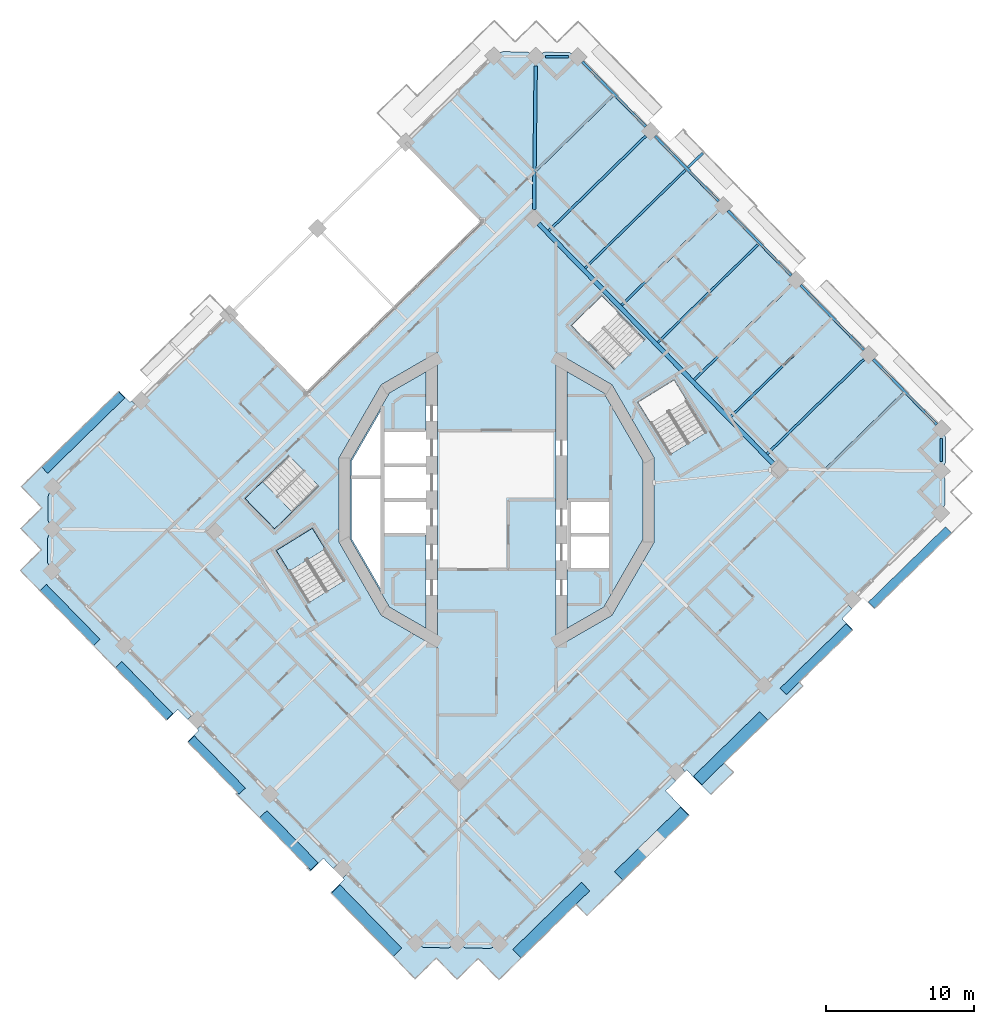
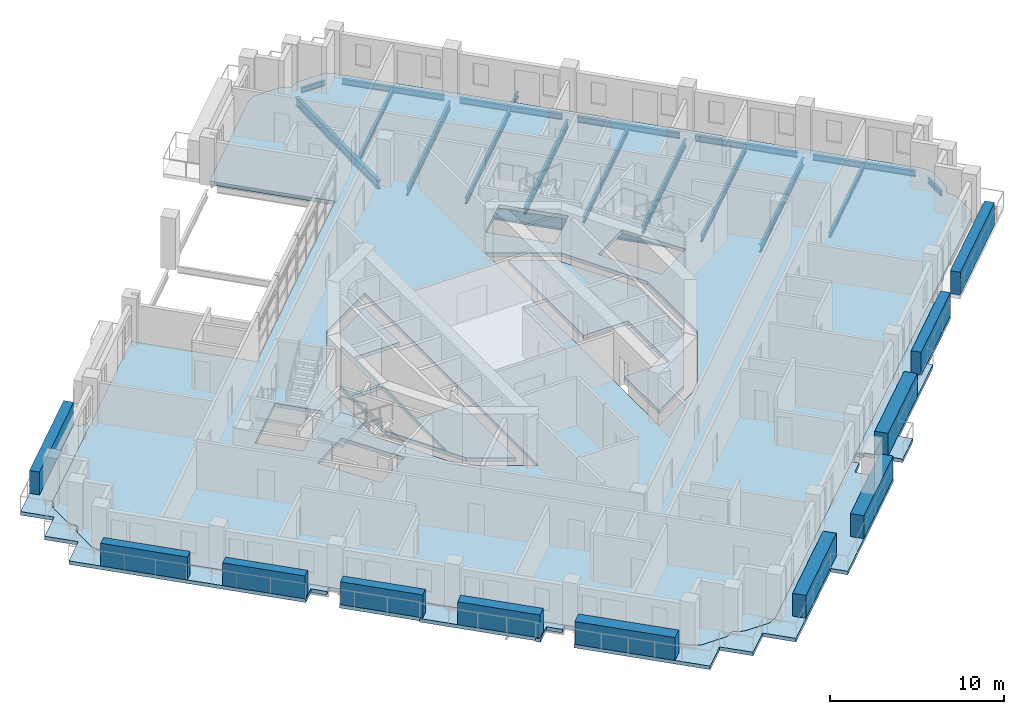
# One storey, part 3 of 19: 19 beams, 11 plates, 9 slabs, 2 elements without a shape of their own.
"""IFC4 building model written with IfcOpenShell, lengths in metres."""

from ifc_helpers import new_model, si_unit, direction, frame, origin, origin_2d, place, context, subcontext, project, spatial, polyline, rectangle, i_section, outline, extrude, material, layer, layer_set, material_profile, profile_set, type_object, element, aggregate, save


model = new_model("IFC4")

# Units and contexts
model_context = context("Model", 3, precision=1e-05, world=origin(), true_north=direction((0.0, 1.0)))
body_context = subcontext(model_context, "Body", "Model", "MODEL_VIEW")
ifc_project = project(units=[si_unit("LENGTHUNIT", "METRE"), si_unit("AREAUNIT", "SQUARE_METRE"), si_unit("VOLUMEUNIT", "CUBIC_METRE"), si_unit("PLANEANGLEUNIT", "RADIAN"), si_unit("MASSUNIT", "GRAM", prefix="KILO")], contexts=[model_context])

# Site, building, storey
site_placement = place(None, origin())
site = spatial("IfcSite", under=ifc_project, at=site_placement, CompositionType="ELEMENT")
building_placement = place(site_placement, origin())
building = spatial("IfcBuilding", under=site, at=building_placement, Name="Cantera Rosa Tower", CompositionType="ELEMENT")
storey_placement = place(building_placement, frame((0.0, 0.0, 223.39990234375)))
storey = spatial("IfcBuildingStorey", under=building, at=storey_placement, Name="L48", CompositionType="ELEMENT", Elevation=223.39990234375)

# Beams
ifc_material_1 = material(Name="Steel ASTM A992 (Fy 345 MPa)", Category="steel")
ifc_material_profile_1 = material_profile(ifc_material_1, i_section(OverallWidth=0.302001953125, OverallDepth=1.010009765625, WebThickness=0.02099609375, FlangeThickness=0.0400390625, FilletRadius=0.030029296875, at=origin_2d()), Name="W1000X350")
ifc_profile_set_1 = profile_set([ifc_material_profile_1], Name="Steel ASTM A992 (Fy 345 MPa)")
beam_type_1 = type_object("IfcBeamType", Name="STEEL BEAM W1000X350", PredefinedType="BEAM", material=ifc_profile_set_1)
beam_1_placement = place(storey_placement, frame((18.69677734375, 2.39892578125, -0.7548828125), z_axis=(-0.698831294804, 0.715286530981, 0.0), x_axis=(-0.715286530981, -0.698831294804, 0.0)))
element("IfcBeam", 1, at=beam_1_placement, inside=storey, type_object=beam_type_1, Name="RB-Z4-05 L48", PredefinedType="BEAM", context=body_context, shape_type="SweptSolid", body=[
    extrude(i_section(OverallWidth=0.302001953125, OverallDepth=1.010009765625, WebThickness=0.02099609375, FlangeThickness=0.0400390625, FilletRadius=0.030029296875, at=origin_2d()), origin(), (0.0, 0.0, 1.0), 22.7001953125),
])
ifc_material_2 = material(Name="Steel ASTM A992 (Fy 345 MPa)", Category="steel")
ifc_material_profile_2 = material_profile(ifc_material_2, i_section(OverallWidth=0.166015625, OverallDepth=0.528076171875, WebThickness=0.009765625, FlangeThickness=0.013671875, FilletRadius=0.0126953125, at=origin_2d()), Name="W530X74")
ifc_profile_set_2 = profile_set([ifc_material_profile_2], Name="Steel ASTM A992 (Fy 345 MPa)")
beam_type_2 = type_object("IfcBeamType", Name="STEEL BEAM W530X74", PredefinedType="BEAM", material=ifc_profile_set_2)
for number, where, z_axis, x_axis, name in (
    (2, (24.77587890625, 9.484619140625, -0.513916015625), (-0.71529025682, -0.698827481213, 0.0), (0.698827481213, -0.71529025682, 0.0), "G-Z4-01 L48"),
    (3, (19.8701171875, 14.505859375, -0.513916015625), (-0.71529025682, -0.698827481213, 0.0), (0.698827481213, -0.71529025682, 0.0), "G-Z4-02 L48"),
    (4, (14.96435546875, 19.527099609375, -0.513916015625), (-0.71529025682, -0.698827481213, 0.0), (0.698827481213, -0.71529025682, 0.0), "G-Z4-03 L48"),
    (5, (10.05859375, 24.548583984375, -0.513916015625), (-0.71529025682, -0.698827481213, 0.0), (0.698827481213, -0.71529025682, 0.0), "G-Z4-04 L48"),
):
    element("IfcBeam", number, at=place(storey_placement, frame(where, z_axis=z_axis, x_axis=x_axis)), inside=storey, type_object=beam_type_2, Name=name, PredefinedType="BEAM", context=body_context, shape_type="SweptSolid", body=[
        extrude(i_section(OverallWidth=0.166015625, OverallDepth=0.528076171875, WebThickness=0.009765625, FlangeThickness=0.013671875, FilletRadius=0.0126953125, at=origin_2d()), origin(), (0.0, 0.0, 1.0), 9.14990234375),
    ])
ifc_material_3 = material(Name="Steel ASTM A992 (Fy 345 MPa)", Category="steel")
ifc_material_profile_3 = material_profile(ifc_material_3, i_section(OverallWidth=0.22802734375, OverallDepth=0.60205078125, WebThickness=0.010498046875, FlangeThickness=0.014892578125, FilletRadius=0.0126953125, at=origin_2d()), Name="W610X101")
ifc_profile_set_3 = profile_set([ifc_material_profile_3], Name="Steel ASTM A992 (Fy 345 MPa)")
beam_type_3 = type_object("IfcBeamType", Name="STEEL BEAM W610X101", PredefinedType="BEAM", material=ifc_profile_set_3)
beam_2_placement = place(storey_placement, frame((2.638916015625, 29.28076171875, -0.55078125), z_axis=(-0.011618330597, -0.999932504919, 0.0), x_axis=(0.999932504919, -0.011618330597, 0.0)))
element("IfcBeam", 6, at=beam_2_placement, inside=storey, type_object=beam_type_3, Name="CB-Z4-01 L48", PredefinedType="BEAM", context=body_context, shape_type="SweptSolid", body=[
    extrude(i_section(OverallWidth=0.22802734375, OverallDepth=0.60205078125, WebThickness=0.010498046875, FlangeThickness=0.014892578125, FilletRadius=0.0126953125, at=origin_2d()), origin(), (0.0, 0.0, 1.0), 9.687255859375),
])
ifc_material_4 = material(Name="Steel ASTM A992 (Fy 345 MPa)", Category="steel")
ifc_material_profile_4 = material_profile(ifc_material_4, i_section(OverallWidth=0.1708984375, OverallDepth=0.35595703125, WebThickness=0.00732421875, FlangeThickness=0.01171875, FilletRadius=0.010009765625, at=origin_2d()), Name="W360X51")
ifc_profile_set_4 = profile_set([ifc_material_profile_4], Name="Steel ASTM A992 (Fy 345 MPa)")
beam_type_4 = type_object("IfcBeamType", Name="STEEL JOIST W360X51", PredefinedType="JOIST", material=ifc_profile_set_4)
for number, where, z_axis, x_axis, name in (
    (7, (27.443359375, 7.18359375, -0.427978515625), (-0.715287213552, -0.69883059616, 0.0), (0.69883059616, -0.715287213552, 0.0), "B-Z4-01 L48"),
    (8, (7.8203125, 27.268798828125, -0.427978515625), (-0.715287213552, -0.69883059616, 0.0), (0.69883059616, -0.715287213552, 0.0), "B-Z4-05 L48"),
):
    element("IfcBeam", number, at=place(storey_placement, frame(where, z_axis=z_axis, x_axis=x_axis)), inside=storey, type_object=beam_type_4, Name=name, PredefinedType="JOIST", context=body_context, shape_type="SweptSolid", body=[
        extrude(i_section(OverallWidth=0.1708984375, OverallDepth=0.35595703125, WebThickness=0.00732421875, FlangeThickness=0.01171875, FilletRadius=0.010009765625, at=origin_2d()), origin(), (0.0, 0.0, 1.0), 7.2099609375),
    ])
beam_3_placement = place(storey_placement, frame((12.92626953125, 22.443115234375, -0.427978515625), z_axis=(0.715278545481, 0.698839468243, 0.0), x_axis=(-0.698839468243, 0.715278545481, 0.0)))
element("IfcBeam", 9, at=beam_3_placement, inside=storey, type_object=beam_type_4, Name="BS-Z4-11 L48", PredefinedType="JOIST", context=body_context, shape_type="SweptSolid", body=[
    extrude(i_section(OverallWidth=0.1708984375, OverallDepth=0.35595703125, WebThickness=0.00732421875, FlangeThickness=0.01171875, FilletRadius=0.010009765625, at=origin_2d()), origin(), (0.0, 0.0, 1.0), 1.3662109375),
])
ifc_material_5 = material(Name="Steel ASTM A992 (Fy 345 MPa)", Category="steel")
ifc_material_profile_5 = material_profile(ifc_material_5, i_section(OverallWidth=0.154052734375, OverallDepth=0.4599609375, WebThickness=0.009033203125, FlangeThickness=0.015380859375, FilletRadius=0.01025390625, at=origin_2d()), Name="W460X68")
ifc_profile_set_5 = profile_set([ifc_material_profile_5], Name="Steel ASTM A992 (Fy 345 MPa)")
beam_type_5 = type_object("IfcBeamType", Name="STEEL JOIST W460X68", PredefinedType="JOIST", material=ifc_profile_set_5)
for number, where, z_axis, x_axis, name in (
    (10, (22.53759765625, 12.204833984375, -0.47998046875), (-0.715287278354, -0.698830529832, 0.0), (0.698830529832, -0.715287278354, 0.0), "B-Z4-02 L48"),
    (11, (17.6318359375, 17.226318359375, -0.47998046875), (-0.715287278354, -0.698830529832, 0.0), (0.698830529832, -0.715287278354, 0.0), "B-Z4-03 L48"),
    (12, (12.72607421875, 22.24755859375, -0.47998046875), (-0.715287278354, -0.698830529832, 0.0), (0.698830529832, -0.715287278354, 0.0), "B-Z4-04 L48"),
):
    element("IfcBeam", number, at=place(storey_placement, frame(where, z_axis=z_axis, x_axis=x_axis)), inside=storey, type_object=beam_type_5, Name=name, PredefinedType="JOIST", context=body_context, shape_type="SweptSolid", body=[
        extrude(i_section(OverallWidth=0.154052734375, OverallDepth=0.4599609375, WebThickness=0.009033203125, FlangeThickness=0.015380859375, FilletRadius=0.01025390625, at=origin_2d()), origin(), (0.0, 0.0, 1.0), 9.4501953125),
    ])
ifc_material_6 = material(Name="Steel ASTM A992 (Fy 345 MPa)", Category="steel")
ifc_material_profile_6 = material_profile(ifc_material_6, i_section(OverallWidth=0.1708984375, OverallDepth=0.35595703125, WebThickness=0.00732421875, FlangeThickness=0.01171875, FilletRadius=0.010009765625, at=origin_2d()), Name="W360X51")
ifc_profile_set_6 = profile_set([ifc_material_profile_6], Name="Steel ASTM A992 (Fy 345 MPa)")
beam_type_6 = type_object("IfcBeamType", Name="STEEL SPANDREL BEAM W360X51", PredefinedType="SPANDREL", material=ifc_profile_set_6)
for number, where, z_axis, x_axis, name in (
    (13, (4.838134765625, 29.8916015625, -0.427978515625), (-0.999930716123, 0.011771276677, 0.0), (-0.011771276677, -0.999930716123, 0.0), "EB-Z4-06 L48"),
    (14, (29.97802734375, 2.5859375, -0.427978515625), (0.011614347636, 0.99993255119, 0.0), (-0.99993255119, 0.011614347636, 0.0), "EB-Z4-28 L48"),
):
    element("IfcBeam", number, at=place(storey_placement, frame(where, z_axis=z_axis, x_axis=x_axis)), inside=storey, type_object=beam_type_6, Name=name, PredefinedType="SPANDREL", context=body_context, shape_type="SweptSolid", body=[
        extrude(i_section(OverallWidth=0.1708984375, OverallDepth=0.35595703125, WebThickness=0.00732421875, FlangeThickness=0.01171875, FilletRadius=0.010009765625, at=origin_2d()), origin(), (0.0, 0.0, 1.0), 1.555419921875),
    ])
ifc_material_7 = material(Name="Steel ASTM A992 (Fy 345 MPa)", Category="steel")
ifc_material_profile_7 = material_profile(ifc_material_7, i_section(OverallWidth=0.177978515625, OverallDepth=0.406005859375, WebThickness=0.0078125, FlangeThickness=0.0126953125, FilletRadius=0.01025390625, at=origin_2d()), Name="W410X60")
ifc_profile_set_7 = profile_set([ifc_material_profile_7], Name="Steel ASTM A992 (Fy 345 MPa)")
beam_type_7 = type_object("IfcBeamType", Name="STEEL SPANDREL BEAM W410X60", PredefinedType="SPANDREL", material=ifc_profile_set_7)
beam_4_placement = place(storey_placement, frame((29.689208984375, 5.099609375, -0.452880859375), z_axis=(-0.69882117953, 0.715296413412, 0.0), x_axis=(-0.715296413412, -0.69882117953, 0.0)))
element("IfcBeam", 15, at=beam_4_placement, inside=storey, type_object=beam_type_7, Name="EB-Z4-01 L48", PredefinedType="SPANDREL", context=body_context, shape_type="SweptSolid", body=[
    extrude(i_section(OverallWidth=0.177978515625, OverallDepth=0.406005859375, WebThickness=0.0078125, FlangeThickness=0.0126953125, FilletRadius=0.01025390625, at=origin_2d()), origin(), (0.0, 0.0, 1.0), 6.1201171875),
])
for number, where, z_axis, x_axis, name in (
    (16, (24.783203125, 10.120849609375, -0.452880859375), (-0.698800768177, 0.715316354067, 0.0), (-0.715316354067, -0.698800768177, 0.0), "EB-Z4-02 L48"),
    (17, (19.87744140625, 15.142333984375, -0.452880859375), (-0.698841120217, 0.71527693147, 0.0), (-0.71527693147, -0.698841120217, 0.0), "EB-Z4-03 L48"),
    (18, (14.9716796875, 20.16357421875, -0.452880859375), (-0.698841120217, 0.71527693147, 0.0), (-0.71527693147, -0.698841120217, 0.0), "EB-Z4-04 L48"),
):
    element("IfcBeam", number, at=place(storey_placement, frame(where, z_axis=z_axis, x_axis=x_axis)), inside=storey, type_object=beam_type_7, Name=name, PredefinedType="SPANDREL", context=body_context, shape_type="SweptSolid", body=[
        extrude(i_section(OverallWidth=0.177978515625, OverallDepth=0.406005859375, WebThickness=0.0078125, FlangeThickness=0.0126953125, FilletRadius=0.01025390625, at=origin_2d()), origin(), (0.0, 0.0, 1.0), 6.119873046875),
    ])
beam_5_placement = place(storey_placement, frame((10.06591796875, 25.184814453125, -0.452880859375), z_axis=(-0.69882117953, 0.715296413412, 0.0), x_axis=(-0.715296413412, -0.69882117953, 0.0)))
element("IfcBeam", 19, at=beam_5_placement, inside=storey, type_object=beam_type_7, Name="EB-Z4-05 L48", PredefinedType="SPANDREL", context=body_context, shape_type="SweptSolid", body=[
    extrude(i_section(OverallWidth=0.177978515625, OverallDepth=0.406005859375, WebThickness=0.0078125, FlangeThickness=0.0126953125, FilletRadius=0.01025390625, at=origin_2d()), origin(), (0.0, 0.0, 1.0), 6.1201171875),
])

# Slabs
ifc_material_8 = material(Name="Concrete C35/45", Category="concrete")
ifc_layer_1 = layer(ifc_material_8, 0.25)
ifc_layer_set_1 = layer_set([ifc_layer_1], Name="COMPOSITE FLOOR SLAB 250 C35/45")
slab_type_1 = type_object("IfcSlabType", Name="COMPOSITE FLOOR SLAB 250 C35/45", PredefinedType="FLOOR", material=ifc_layer_set_1)
slab_1_placement = place(storey_placement, frame((0.0, 0.0, -0.25)))
element("IfcSlab", 20, at=slab_1_placement, inside=storey, type_object=slab_type_1, Name="SLAB L48 floor 1", PredefinedType="FLOOR", context=body_context, shape_type="SweptSolid", body=[
    extrude(outline(polyline([(-7.699951171875, 0.0), (-7.699951171875, -2.35009765625), (-4.75, -2.35009765625), (-4.75, -8.660400390625), (-7.22900390625, -7.22900390625), (-9.875244140625, -2.64599609375), (-9.875244140625, 2.64599609375), (-7.22900390625, 7.22900390625), (-4.75, 8.660400390625), (-4.75, 4.699951171875), (-7.699951171875, 4.699951171875), (-7.699951171875, 2.35009765625), (-7.699951171875, 0.0)]), holes=[polyline([(-7.800048828125, 1.439208984375), (-9.775146484375, 1.439208984375), (-9.775146484375, -2.619384765625), (-7.800048828125, -6.040283203125), (-7.800048828125, 1.439208984375)]), polyline([(-7.800048828125, 6.040283203125), (-9.775146484375, 2.619384765625), (-9.775146484375, 1.639404296875), (-7.800048828125, 1.639404296875), (-7.800048828125, 6.040283203125)])]), origin(), (0.0, 0.0, 1.0), 0.25),
])
slab_2_placement = place(storey_placement, frame((0.0, 0.0, -0.25)))
element("IfcSlab", 21, at=slab_2_placement, inside=storey, type_object=slab_type_1, Name="SLAB L48 floor 2", PredefinedType="FLOOR", context=body_context, shape_type="SweptSolid", body=[
    extrude(outline(polyline([(-2.1279296875, -30.200439453125), (-2.154541015625, -30.1875), (-2.646484375, -29.917236328125), (-3.144287109375, -30.176025390625), (-3.171142578125, -30.188232421875), (-3.198974609375, -30.197998046875), (-3.2275390625, -30.20458984375), (-3.2568359375, -30.208740234375), (-3.2861328125, -30.209716796875), (-4.841796875, -30.191650390625), (-4.87109375, -30.18994140625), (-4.900146484375, -30.185302734375), (-4.9287109375, -30.177734375), (-4.956298828125, -30.16748046875), (-4.982666015625, -30.154541015625), (-5.474609375, -29.88427734375), (-30.003662109375, -4.777587890625), (-30.262451171875, -4.27978515625), (-30.274658203125, -4.2529296875), (-30.2841796875, -4.22509765625), (-30.291015625, -4.196533203125), (-30.295166015625, -4.167236328125), (-30.296142578125, -4.137939453125), (-30.278076171875, -2.58251953125), (-30.2763671875, -2.552978515625), (-30.271484375, -2.52392578125), (-30.26416015625, -2.495361328125), (-30.25390625, -2.4677734375), (-30.240966796875, -2.44140625), (-29.970703125, -1.949462890625), (-30.2294921875, -1.451416015625), (-30.24169921875, -1.4248046875), (-30.25146484375, -1.39697265625), (-30.25830078125, -1.368408203125), (-30.26220703125, -1.339111328125), (-30.26318359375, -1.309814453125), (-30.2451171875, 0.245849609375), (-30.243408203125, 0.275146484375), (-30.23876953125, 0.30419921875), (-30.231201171875, 0.332763671875), (-30.220947265625, 0.3603515625), (-30.2080078125, 0.386962890625), (-29.937744140625, 0.878662109375), (-18.035400390625, 12.50732421875), (-12.794189453125, 7.142578125), (-0.891845703125, 18.771240234375), (-6.133056640625, 24.1357421875), (-0.883056640625, 29.26513671875), (-0.181884765625, 29.9501953125), (0.316162109375, 30.208984375), (0.343017578125, 30.22119140625), (0.37060546875, 30.230712890625), (0.3994140625, 30.237548828125), (0.4287109375, 30.24169921875), (0.4580078125, 30.24267578125), (2.013427734375, 30.224609375), (2.04296875, 30.222900390625), (2.072021484375, 30.218017578125), (2.100341796875, 30.210693359375), (2.1279296875, 30.200439453125), (2.154541015625, 30.1875), (2.646484375, 29.917236328125), (3.144287109375, 30.176025390625), (3.171142578125, 30.188232421875), (3.198974609375, 30.197998046875), (3.2275390625, 30.20458984375), (3.2568359375, 30.208740234375), (3.2861328125, 30.209716796875), (4.841796875, 30.191650390625), (4.87109375, 30.18994140625), (4.900146484375, 30.185302734375), (4.9287109375, 30.177734375), (4.956298828125, 30.16748046875), (4.982666015625, 30.154541015625), (5.474609375, 29.88427734375), (30.003662109375, 4.777587890625), (30.262451171875, 4.27978515625), (30.274658203125, 4.2529296875), (30.2841796875, 4.22509765625), (30.291015625, 4.196533203125), (30.295166015625, 4.167236328125), (30.296142578125, 4.137939453125), (30.278076171875, 2.58251953125), (30.2763671875, 2.552978515625), (30.271484375, 2.52392578125), (30.26416015625, 2.495361328125), (30.25390625, 2.4677734375), (30.240966796875, 2.44140625), (29.970703125, 1.949462890625), (30.2294921875, 1.451416015625), (30.24169921875, 1.4248046875), (30.25146484375, 1.39697265625), (30.25830078125, 1.368408203125), (30.26220703125, 1.339111328125), (30.26318359375, 1.309814453125), (30.2451171875, -0.245849609375), (30.243408203125, -0.275146484375), (30.23876953125, -0.30419921875), (30.231201171875, -0.332763671875), (30.220947265625, -0.3603515625), (30.2080078125, -0.386962890625), (29.937744140625, -0.878662109375), (0.883056640625, -29.26513671875), (0.181884765625, -29.9501953125), (-0.316162109375, -30.208984375), (-0.343017578125, -30.22119140625), (-0.37060546875, -30.230712890625), (-0.3994140625, -30.237548828125), (-0.4287109375, -30.24169921875), (-0.4580078125, -30.24267578125), (-2.013427734375, -30.224609375), (-2.04296875, -30.222900390625), (-2.072021484375, -30.218017578125), (-2.100341796875, -30.210693359375), (-2.1279296875, -30.200439453125)]), holes=[polyline([(-12.430908203125, -1.911376953125), (-14.8564453125, -3.407470703125), (-12.68408203125, -6.929443359375), (-10.258544921875, -5.433349609375), (-12.430908203125, -1.911376953125)]), polyline([(-7.7783203125, 7.7783203125), (-10.625244140625, 2.846923828125), (-10.625244140625, -2.846923828125), (-7.7783203125, -7.7783203125), (-4.0, -9.95947265625), (-4.0, 9.95947265625), (-7.7783203125, 7.7783203125)]), polyline([(-14.0029296875, 2.9892578125), (-16.962890625, 0.097412109375), (-14.97119140625, -1.941162109375), (-12.01123046875, 0.95068359375), (-14.0029296875, 2.9892578125)]), polyline([(7.7783203125, -7.7783203125), (10.625244140625, -2.846923828125), (10.625244140625, 2.846923828125), (7.7783203125, 7.7783203125), (4.0, 9.95947265625), (4.0, -9.95947265625), (7.7783203125, -7.7783203125)]), polyline([(14.1416015625, 4.566650390625), (11.96923828125, 8.088623046875), (9.54345703125, 6.592529296875), (11.7158203125, 3.070556640625), (14.1416015625, 4.566650390625)]), polyline([(9.9892578125, 10.802978515625), (7.097412109375, 13.762939453125), (5.058837890625, 11.771240234375), (7.95068359375, 8.811279296875), (9.9892578125, 10.802978515625)])]), origin(), (0.0, 0.0, 1.0), 0.25),
])
slab_3_placement = place(storey_placement, frame((0.0, 0.0, -0.25)))
element("IfcSlab", 22, at=slab_3_placement, inside=storey, type_object=slab_type_1, Name="SLAB L48 floor 3", PredefinedType="FLOOR", context=body_context, shape_type="SweptSolid", body=[
    extrude(outline(polyline([(7.699951171875, -2.35009765625), (7.699951171875, 0.0), (4.75, 0.0), (4.75, 8.660400390625), (7.22900390625, 7.22900390625), (9.875244140625, 2.64599609375), (9.875244140625, -2.64599609375), (7.22900390625, -7.22900390625), (4.75, -8.660400390625), (4.75, -4.699951171875), (7.699951171875, -4.699951171875), (7.699951171875, -2.35009765625)])), origin(), (0.0, 0.0, 1.0), 0.25),
])
ifc_material_9 = material(Name="Concrete C35/45", Category="concrete")
ifc_layer_2 = layer(ifc_material_9, 0.25)
ifc_layer_set_2 = layer_set([ifc_layer_2], Name="LOGGIA SLAB 250 C35/45")
slab_type_2 = type_object("IfcSlabType", Name="LOGGIA SLAB 250 C35/45", PredefinedType="FLOOR", material=ifc_layer_set_2)
slab_4_placement = place(storey_placement, frame((0.0, 0.0, -0.25)))
element("IfcSlab", 23, at=slab_4_placement, inside=storey, type_object=slab_type_2, Name="LOGGIA SLAB L48 1", PredefinedType="FLOOR", context=body_context, shape_type="SweptSolid", body=[
    extrude(outline(polyline([(-27.218994140625, -9.7744140625), (-31.076416015625, -5.825927734375), (-32.124755859375, -4.753173828125), (-31.0517578125, -3.704833984375), (-30.694091796875, -3.35546875), (-31.043701171875, -2.997802734375), (-32.091796875, -1.9248046875), (-31.018798828125, -0.876708984375), (-30.661376953125, -0.527099609375), (-31.0107421875, -0.16943359375), (-32.05908203125, 0.9033203125), (-30.986083984375, 1.95166015625), (-26.10791015625, 6.7177734375), (-25.464111328125, 7.3466796875), (-24.730224609375, 6.595703125), (-24.622802734375, 6.700439453125), (-24.30859375, 6.37841796875), (-29.937744140625, 0.878662109375), (-30.2080078125, 0.386962890625), (-30.220947265625, 0.3603515625), (-30.231201171875, 0.332763671875), (-30.23876953125, 0.30419921875), (-30.243408203125, 0.275146484375), (-30.2451171875, 0.245849609375), (-30.26318359375, -1.309814453125), (-30.26220703125, -1.339111328125), (-30.25830078125, -1.368408203125), (-30.25146484375, -1.39697265625), (-30.24169921875, -1.4248046875), (-30.2294921875, -1.451416015625), (-29.970703125, -1.949462890625), (-30.240966796875, -2.44140625), (-30.25390625, -2.4677734375), (-30.26416015625, -2.495361328125), (-30.271484375, -2.52392578125), (-30.2763671875, -2.552978515625), (-30.278076171875, -2.58251953125), (-30.296142578125, -4.137939453125), (-30.295166015625, -4.167236328125), (-30.291015625, -4.196533203125), (-30.2841796875, -4.22509765625), (-30.274658203125, -4.2529296875), (-30.262451171875, -4.27978515625), (-30.003662109375, -4.777587890625), (-20.506591796875, -14.49853515625), (-20.828369140625, -14.81298828125), (-21.4921875, -14.13330078125), (-22.243408203125, -14.8671875), (-22.313232421875, -14.795654296875), (-25.12255859375, -11.920166015625), (-27.218994140625, -9.7744140625)])), origin(), (0.0, 0.0, 1.0), 0.25),
])
slab_5_placement = place(storey_placement, frame((0.0, 0.0, -0.25)))
element("IfcSlab", 24, at=slab_5_placement, inside=storey, type_object=slab_type_2, Name="LOGGIA SLAB L48 3", PredefinedType="FLOOR", context=body_context, shape_type="SweptSolid", body=[
    extrude(outline(polyline([(-17.57177734375, -19.815185546875), (-17.488525390625, -19.73388671875), (-20.216796875, -16.94140625), (-20.845703125, -16.2978515625), (-20.094482421875, -15.56396484375), (-20.199462890625, -15.456787109375), (-19.87744140625, -15.14208984375), (-10.69482421875, -24.541015625), (-11.016845703125, -24.855712890625), (-11.6806640625, -24.176025390625), (-12.57470703125, -25.049560546875), (-12.784423828125, -24.8349609375), (-12.724609375, -24.776611328125), (-17.57177734375, -19.815185546875)])), origin(), (0.0, 0.0, 1.0), 0.25),
])
slab_6_placement = place(storey_placement, frame((0.0, 0.0, -0.25)))
element("IfcSlab", 25, at=slab_6_placement, inside=storey, type_object=slab_type_2, Name="LOGGIA SLAB L48 5", PredefinedType="FLOOR", context=body_context, shape_type="SweptSolid", body=[
    extrude(outline(polyline([(1.369873046875, -31.166015625), (0.15380859375, -32.35400390625), (-1.0341796875, -31.13818359375), (-1.243896484375, -30.923583984375), (-1.45849609375, -31.13330078125), (-2.67431640625, -32.3212890625), (-3.8623046875, -31.105224609375), (-4.072021484375, -30.890625), (-4.28662109375, -31.100341796875), (-5.502685546875, -32.288330078125), (-6.690673828125, -31.072265625), (-11.177001953125, -26.480224609375), (-10.282958984375, -25.606689453125), (-10.3876953125, -25.499267578125), (-10.06591796875, -25.184814453125), (-5.474609375, -29.88427734375), (-4.982666015625, -30.154541015625), (-4.956298828125, -30.16748046875), (-4.9287109375, -30.177734375), (-4.900146484375, -30.185302734375), (-4.87109375, -30.18994140625), (-4.841796875, -30.191650390625), (-3.2861328125, -30.209716796875), (-3.2568359375, -30.208740234375), (-3.2275390625, -30.20458984375), (-3.198974609375, -30.197998046875), (-3.171142578125, -30.188232421875), (-3.144287109375, -30.176025390625), (-2.646484375, -29.917236328125), (-2.154541015625, -30.1875), (-2.1279296875, -30.200439453125), (-2.100341796875, -30.210693359375), (-2.072021484375, -30.218017578125), (-2.04296875, -30.222900390625), (-2.013427734375, -30.224609375), (-0.4580078125, -30.24267578125), (-0.4287109375, -30.24169921875), (-0.3994140625, -30.237548828125), (-0.37060546875, -30.230712890625), (-0.343017578125, -30.22119140625), (-0.316162109375, -30.208984375), (0.181884765625, -29.9501953125), (0.883056640625, -29.26513671875), (11.76220703125, -18.635986328125), (12.076904296875, -18.9580078125), (11.397216796875, -19.621826171875), (13.002197265625, -21.264404296875), (6.087890625, -28.019775390625), (5.3564453125, -27.271240234375), (1.369873046875, -31.166015625)])), origin(), (0.0, 0.0, 1.0), 0.25),
])
slab_7_placement = place(storey_placement, frame((0.0, 0.0, -0.25)))
element("IfcSlab", 26, at=slab_7_placement, inside=storey, type_object=slab_type_2, Name="LOGGIA SLAB L48 7", PredefinedType="FLOOR", context=body_context, shape_type="SweptSolid", body=[
    extrude(outline(polyline([(12.720703125, -18.3291015625), (12.406005859375, -18.007080078125), (23.664794921875, -7.007568359375), (23.979248046875, -7.329345703125), (23.2998046875, -7.9931640625), (24.033447265625, -8.744384765625), (23.9619140625, -8.814208984375), (20.416015625, -12.278564453125), (20.669189453125, -12.537841796875), (15.350341796875, -17.734375), (15.968017578125, -18.36669921875), (14.4326171875, -19.86669921875), (12.827880859375, -18.22412109375), (12.720703125, -18.3291015625)])), origin(), (0.0, 0.0, 1.0), 0.25),
])

# Plates
ifc_material_10 = material(Name="Cantera stone planter with soil", Category="masonry")
plate_type_1 = type_object("IfcPlateType", Name="PLANTER 600", PredefinedType="USERDEFINED", material=ifc_material_10)
plate_1_placement = place(storey_placement, frame((-27.89013671875, 4.556884765625, 0.0), z_axis=(0.0, 0.0, 1.0), x_axis=(-0.71528629107, -0.698831540364, 0.0)))
element("IfcPlate", 27, at=plate_1_placement, inside=storey, type_object=plate_type_1, Name="PLANTER L48-10", ObjectType="PLANTER", PredefinedType="USERDEFINED", context=body_context, shape_type="SweptSolid", body=[
    extrude(rectangle(XDim=7.27001953125, YDim=0.60009765625, at=origin_2d()), origin(), (0.0, 0.0, 1.0), 1.60009765625),
])
plate_2_placement = place(storey_placement, frame((-28.77587890625, -7.75146484375, 0.0), z_axis=(0.0, 0.0, 1.0), x_axis=(0.698831540364, -0.71528629107, 0.0)))
element("IfcPlate", 28, at=plate_2_placement, inside=storey, type_object=plate_type_1, Name="PLANTER L48-11", ObjectType="PLANTER", PredefinedType="USERDEFINED", context=body_context, shape_type="SweptSolid", body=[
    extrude(rectangle(XDim=5.169921875, YDim=0.60009765625, at=origin_2d()), origin(), (0.0, 0.0, 1.0), 1.60009765625),
])
for number, where, z_axis, x_axis, name in (
    (29, (-23.78271484375, -12.8623046875, 0.0), (0.0, 0.0, 1.0), (0.698831540364, -0.71528629107, 0.0), "PLANTER L48-12"),
    (30, (-18.876953125, -17.883544921875, 0.0), (0.0, 0.0, 1.0), (0.698831540364, -0.71528629107, 0.0), "PLANTER L48-13"),
):
    element("IfcPlate", number, at=place(storey_placement, frame(where, z_axis=z_axis, x_axis=x_axis)), inside=storey, type_object=plate_type_1, Name=name, ObjectType="PLANTER", PredefinedType="USERDEFINED", context=body_context, shape_type="SweptSolid", body=[
        extrude(rectangle(XDim=4.919921875, YDim=0.60009765625, at=origin_2d()), origin(), (0.0, 0.0, 1.0), 1.60009765625),
    ])
plate_3_placement = place(storey_placement, frame((21.5634765625, -10.738037109375, 0.0), z_axis=(0.0, 0.0, 1.0), x_axis=(0.71528629107, 0.698831540364, 0.0)))
element("IfcPlate", 31, at=plate_3_placement, inside=storey, type_object=plate_type_1, Name="PLANTER L48-19", ObjectType="PLANTER", PredefinedType="USERDEFINED", context=body_context, shape_type="SweptSolid", body=[
    extrude(rectangle(XDim=6.219970703125, YDim=0.60009765625, at=origin_2d()), origin(), (0.0, 0.0, 1.0), 1.60009765625),
])
plate_4_placement = place(storey_placement, frame((27.89013671875, -4.556884765625, 0.0), z_axis=(0.0, 0.0, 1.0), x_axis=(0.71528629107, 0.698831540364, 0.0)))
element("IfcPlate", 32, at=plate_4_placement, inside=storey, type_object=plate_type_1, Name="PLANTER L48-20", ObjectType="PLANTER", PredefinedType="USERDEFINED", context=body_context, shape_type="SweptSolid", body=[
    extrude(rectangle(XDim=7.27001953125, YDim=0.60009765625, at=origin_2d()), origin(), (0.0, 0.0, 1.0), 1.60009765625),
])
ifc_material_11 = material(Name="Cantera stone planter with soil", Category="masonry")
plate_type_2 = type_object("IfcPlateType", Name="PLANTER 700", PredefinedType="USERDEFINED", material=ifc_material_11)
plate_5_placement = place(storey_placement, frame((-14.0185546875, -22.951171875, 0.0), z_axis=(0.0, 0.0, 1.0), x_axis=(0.698831540364, -0.71528629107, 0.0)))
element("IfcPlate", 33, at=plate_5_placement, inside=storey, type_object=plate_type_2, Name="PLANTER L48-14", ObjectType="PLANTER", PredefinedType="USERDEFINED", context=body_context, shape_type="SweptSolid", body=[
    extrude(rectangle(XDim=4.919921875, YDim=0.699951171875, at=origin_2d()), origin(), (0.0, 0.0, 1.0), 1.60009765625),
])
ifc_material_12 = material(Name="Cantera stone planter with soil", Category="masonry")
plate_type_3 = type_object("IfcPlateType", Name="PLANTER 800", PredefinedType="USERDEFINED", material=ifc_material_12)
plate_6_placement = place(storey_placement, frame((-8.77001953125, -28.37158203125, 0.0), z_axis=(0.0, 0.0, 1.0), x_axis=(0.698831540364, -0.71528629107, 0.0)))
element("IfcPlate", 34, at=plate_6_placement, inside=storey, type_object=plate_type_3, Name="PLANTER L48-15", ObjectType="PLANTER", PredefinedType="USERDEFINED", context=body_context, shape_type="SweptSolid", body=[
    extrude(rectangle(XDim=5.969970703125, YDim=0.800048828125, at=origin_2d()), origin(), (0.0, 0.0, 1.0), 1.60009765625),
])
plate_7_placement = place(storey_placement, frame((3.6904296875, -28.33984375, 0.0), z_axis=(0.0, 0.0, 1.0), x_axis=(0.71528629107, 0.698831540364, 0.0)))
element("IfcPlate", 35, at=plate_7_placement, inside=storey, type_object=plate_type_3, Name="PLANTER L48-16", ObjectType="PLANTER", PredefinedType="USERDEFINED", context=body_context, shape_type="SweptSolid", body=[
    extrude(rectangle(XDim=6.469970703125, YDim=0.800048828125, at=origin_2d()), origin(), (0.0, 0.0, 1.0), 1.60009765625),
])
for number, where, z_axis, x_axis, name in (
    (36, (10.46240234375, -23.186767578125, 0.0), (0.0, 0.0, 1.0), (0.71528629107, 0.698831540364, 0.0), "PLANTER L48-17"),
    (37, (15.795654296875, -16.739990234375, 0.0), (0.0, 0.0, 1.0), (0.71528629107, 0.698831540364, 0.0), "PLANTER L48-18"),
):
    element("IfcPlate", number, at=place(storey_placement, frame(where, z_axis=z_axis, x_axis=x_axis)), inside=storey, type_object=plate_type_3, Name=name, ObjectType="PLANTER", PredefinedType="USERDEFINED", context=body_context, shape_type="SweptSolid", body=[
        extrude(rectangle(XDim=6.219970703125, YDim=0.800048828125, at=origin_2d()), origin(), (0.0, 0.0, 1.0), 1.60009765625),
    ])

# Stair, slab
ifc_material_13 = material(Name="Concrete C35/45", Category="concrete")
stair_type = type_object("IfcStairType", Name="EXIT STAIR 1350 DOGLEG", PredefinedType="HALF_TURN_STAIR", material=ifc_material_13)
stair_1_placement = place(storey_placement, origin())
stair_1 = element("IfcStair", 38, at=stair_1_placement, inside=storey, type_object=stair_type, Name="L48 ST-43", PredefinedType="HALF_TURN_STAIR")
ifc_material_14 = material(Name="Concrete C35/45", Category="concrete")
ifc_layer_3 = layer(ifc_material_14, 0.199951171875)
ifc_layer_set_3 = layer_set([ifc_layer_3], Name="STAIR LANDING 200")
slab_type_3 = type_object("IfcSlabType", Name="STAIR LANDING 200", PredefinedType="LANDING", material=ifc_layer_set_3)
slab_8_placement = place(storey_placement, frame((0.0, 0.0, 1.60009765625)))
slab_8 = element("IfcSlab", 39, at=slab_8_placement, type_object=slab_type_3, Name="ST-43 landing 1", PredefinedType="LANDING", context=body_context, shape_type="SweptSolid", body=[
    extrude(outline(polyline([(-15.788330078125, 1.244873046875), (-16.962890625, 0.097412109375), (-14.97119140625, -1.941162109375), (-13.796630859375, -0.793701171875), (-15.788330078125, 1.244873046875)])), origin(), (0.0, 0.0, 1.0), 0.199951171875),
])
aggregate(stair_1, [slab_8])

stair_2_placement = place(storey_placement, origin())
stair_2 = element("IfcStair", 40, at=stair_2_placement, inside=storey, type_object=stair_type, Name="L48 ST-44", PredefinedType="HALF_TURN_STAIR")
slab_9_placement = place(storey_placement, frame((0.0, 0.0, 1.60009765625)))
slab_9 = element("IfcSlab", 41, at=slab_9_placement, type_object=slab_type_3, Name="ST-44 landing 1", PredefinedType="LANDING", context=body_context, shape_type="SweptSolid", body=[
    extrude(outline(polyline([(-11.56884765625, -3.308837890625), (-12.430908203125, -1.911376953125), (-14.8564453125, -3.407470703125), (-13.99462890625, -4.80517578125), (-11.56884765625, -3.308837890625)])), origin(), (0.0, 0.0, 1.0), 0.199951171875),
])
aggregate(stair_2, [slab_9])

save(model, "model.ifc")
